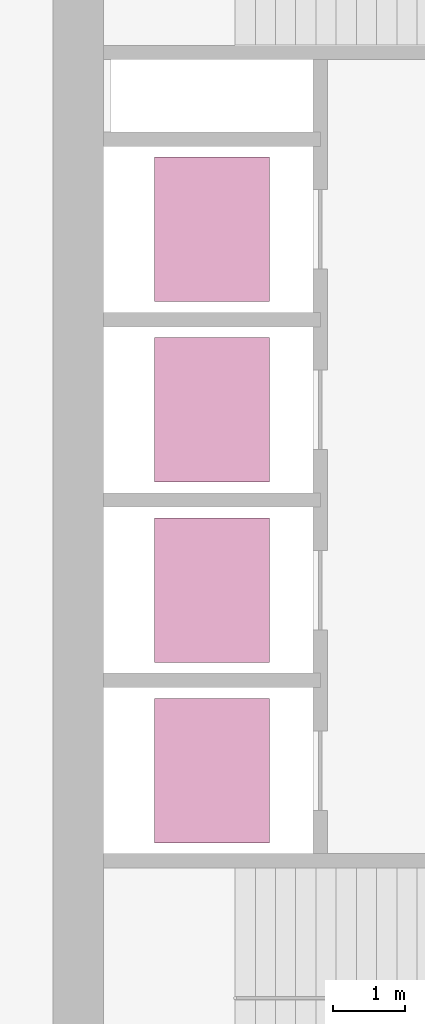
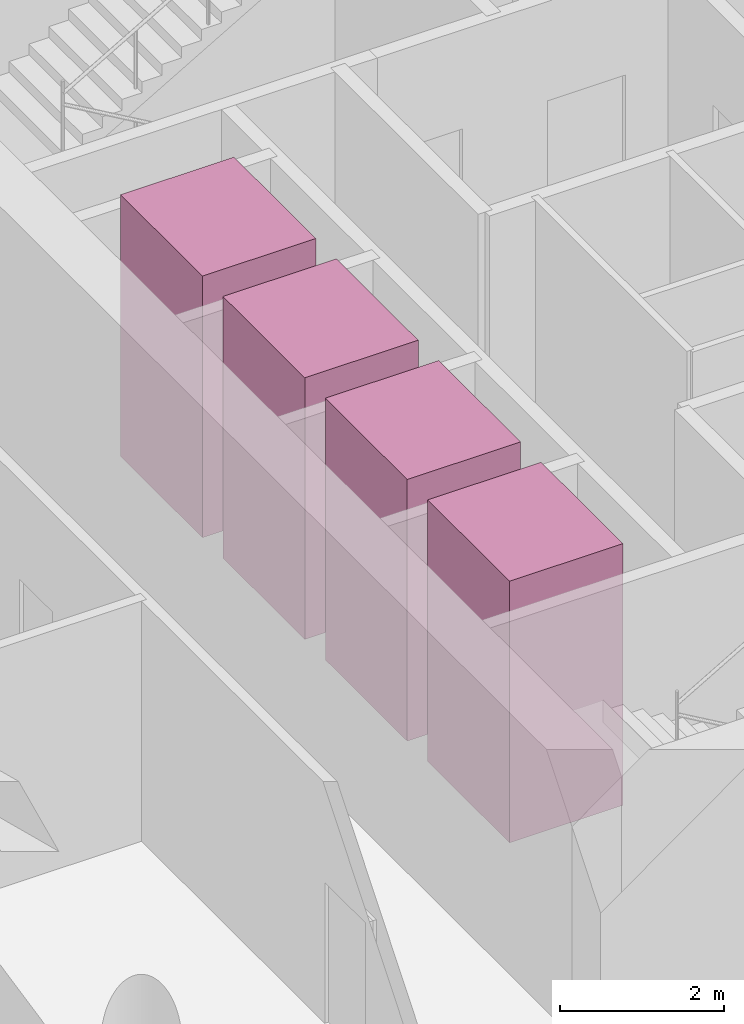
# One storey, part 10 of 10: 4 transport elements.
"""IFC4 building model written with IfcOpenShell, lengths in metres."""

from ifc_helpers import new_model, si_unit, direction, frame, origin, origin_2d, place, context, subcontext, project, spatial, rectangle, extrude, material, type_object, element, save


model = new_model("IFC4")

# Units and contexts
model_context = context("Model", 3, precision=1e-05, world=origin(), true_north=direction((0.0, 1.0)))
body_context = subcontext(model_context, "Body", "Model", "MODEL_VIEW")
ifc_project = project(units=[si_unit("LENGTHUNIT", "METRE"), si_unit("AREAUNIT", "SQUARE_METRE"), si_unit("VOLUMEUNIT", "CUBIC_METRE"), si_unit("PLANEANGLEUNIT", "RADIAN"), si_unit("MASSUNIT", "GRAM", prefix="KILO")], contexts=[model_context])

# Site, building, storey
site_placement = place(None, origin())
site = spatial("IfcSite", under=ifc_project, at=site_placement, CompositionType="ELEMENT")
building_placement = place(site_placement, origin())
building = spatial("IfcBuilding", under=site, at=building_placement, Name="Qaws Garden Tower", CompositionType="ELEMENT")
storey_placement = place(building_placement, frame((0.0, 0.0, 186.300048828125)))
storey = spatial("IfcBuildingStorey", under=building, at=storey_placement, Name="L45", CompositionType="ELEMENT", Elevation=186.300048828125)

# Transport elements
ifc_material = material(Name="Stainless steel 316", Category="steel")
transport_element_type = type_object("IfcTransportElementType", Name="Passenger lift car 2000x1600 1800 kg", PredefinedType="ELEVATOR", material=ifc_material)
for number, where, z_axis, x_axis, name in (
    (1, (10.199951171875, 13.64990234375, 0.0), (0.0, 0.0, 1.0), (1.0, 0.0, 0.0), "MR1"),
    (2, (10.199951171875, 16.14990234375, 0.0), (0.0, 0.0, 1.0), (1.0, 0.0, 0.0), "MR2"),
    (3, (10.199951171875, 18.64990234375, 0.0), (0.0, 0.0, 1.0), (1.0, 0.0, 0.0), "MR3"),
    (4, (10.199951171875, 21.14990234375, 0.0), (0.0, 0.0, 1.0), (1.0, 0.0, 0.0), "MR4"),
):
    element("IfcTransportElement", number, at=place(storey_placement, frame(where, z_axis=z_axis, x_axis=x_axis)), inside=storey, type_object=transport_element_type, Name=name, PredefinedType="ELEVATOR", context=body_context, shape_type="SweptSolid", body=[
        extrude(rectangle(XDim=1.60009765625, YDim=2.0, at=origin_2d()), origin(), (0.0, 0.0, 1.0), 3.89990234375),
    ])

save(model, "model.ifc")
